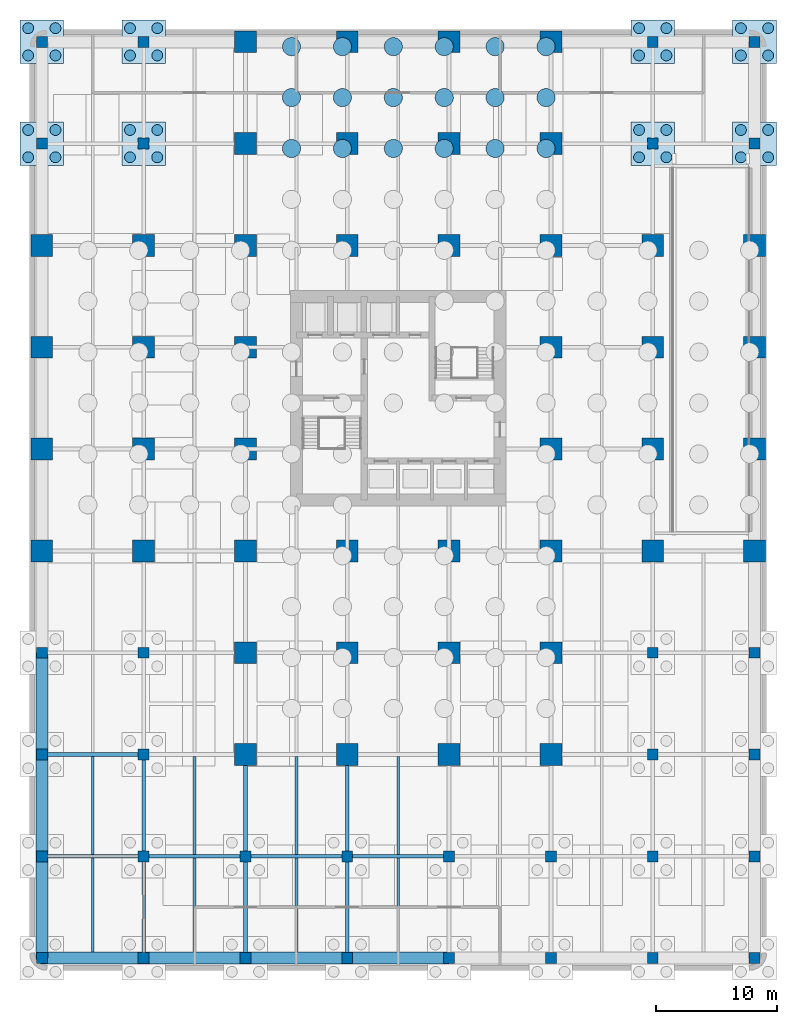
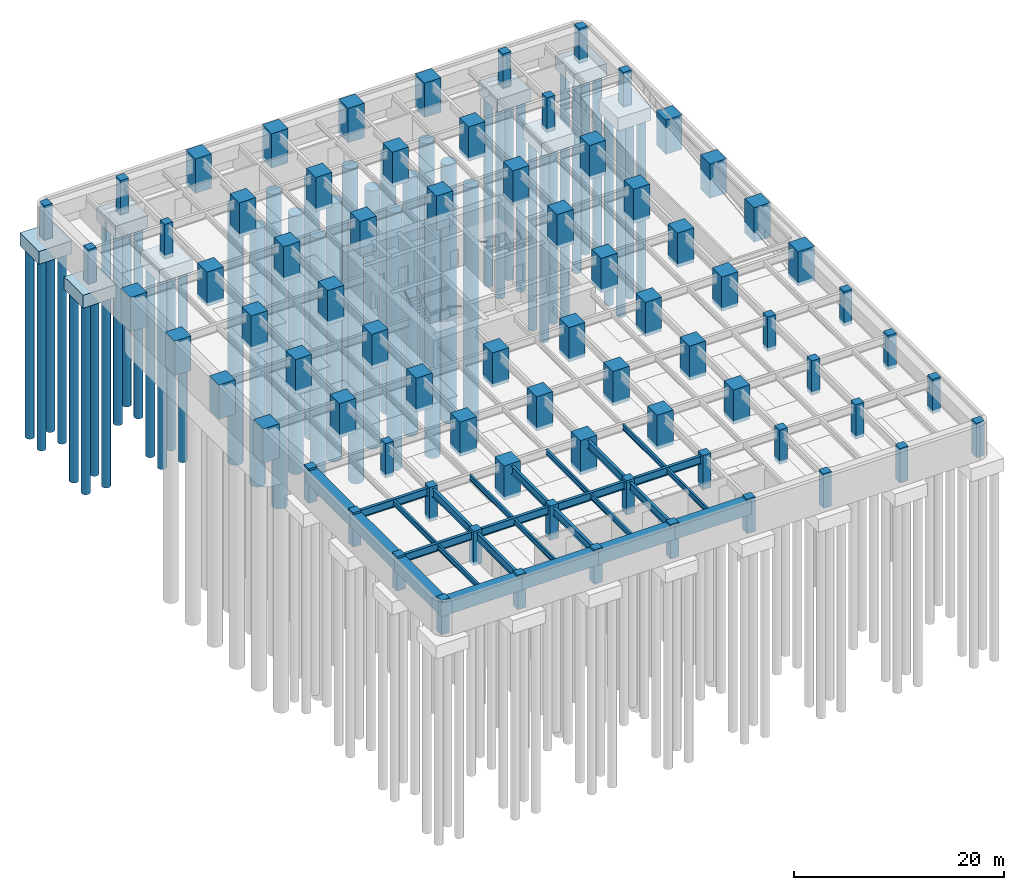
# One storey, part 2 of 11: 76 columns, 50 piles, 26 beams, 8 footings.
"""IFC4 building model written with IfcOpenShell, lengths in metres."""

from ifc_helpers import new_model, si_unit, direction, frame, origin, origin_2d, place, context, subcontext, project, spatial, rectangle, circle, i_section, extrude, material, layer, layer_set, material_profile, profile_set, type_object, element, save


model = new_model("IFC4")

# Units and contexts
model_context = context("Model", 3, precision=1e-05, world=origin(), true_north=direction((0.0, 1.0)))
body_context = subcontext(model_context, "Body", "Model", "MODEL_VIEW")
ifc_project = project(units=[si_unit("LENGTHUNIT", "METRE"), si_unit("AREAUNIT", "SQUARE_METRE"), si_unit("VOLUMEUNIT", "CUBIC_METRE"), si_unit("PLANEANGLEUNIT", "RADIAN"), si_unit("MASSUNIT", "GRAM", prefix="KILO")], contexts=[model_context])

# Site, building, storey
site_placement = place(None, origin())
site = spatial("IfcSite", under=ifc_project, at=site_placement, CompositionType="ELEMENT")
building_placement = place(site_placement, origin())
building = spatial("IfcBuilding", under=site, at=building_placement, Name="Torre Alcanfor", CompositionType="ELEMENT")
storey_placement = place(building_placement, frame((0.0, 0.0, -7.199951171875)))
storey = spatial("IfcBuildingStorey", under=building, at=storey_placement, Name="B2", CompositionType="ELEMENT", Elevation=-7.199951171875)

# Piles
ifc_material_1 = material(Name="Concrete f'c 35 MPa", Category="concrete")
ifc_material_profile_1 = material_profile(ifc_material_1, circle(Radius=0.75, at=origin_2d()), Name="D1500")
ifc_profile_set_1 = profile_set([ifc_material_profile_1], Name="Concrete f'c 35 MPa")
pile_type_1 = type_object("IfcPileType", Name="Bored pile D1500", PredefinedType="BORED", material=ifc_profile_set_1)
for number, where, z_axis, x_axis, name in (
    (1, (20.60009765625, 50.0, -3.400146484375), (0.0, 0.0, -1.0), (1.0, 0.0, 0.0), "Raft pile P1-106"),
    (2, (24.800048828125, 50.0, -3.400146484375), (0.0, 0.0, -1.0), (1.0, 0.0, 0.0), "Raft pile P1-107"),
    (3, (29.0, 50.0, -3.400146484375), (0.0, 0.0, -1.0), (1.0, 0.0, 0.0), "Raft pile P1-108"),
    (4, (33.199951171875, 50.0, -3.400146484375), (0.0, 0.0, -1.0), (1.0, 0.0, 0.0), "Raft pile P1-109"),
    (5, (37.39990234375, 50.0, -3.400146484375), (0.0, 0.0, -1.0), (1.0, 0.0, 0.0), "Raft pile P1-110"),
    (6, (41.60009765625, 50.0, -3.400146484375), (0.0, 0.0, -1.0), (1.0, 0.0, 0.0), "Raft pile P1-111"),
    (7, (20.60009765625, 54.199951171875, -3.400146484375), (0.0, 0.0, -1.0), (1.0, 0.0, 0.0), "Raft pile P1-112"),
    (8, (24.800048828125, 54.199951171875, -3.400146484375), (0.0, 0.0, -1.0), (1.0, 0.0, 0.0), "Raft pile P1-113"),
    (9, (29.0, 54.199951171875, -3.400146484375), (0.0, 0.0, -1.0), (1.0, 0.0, 0.0), "Raft pile P1-114"),
    (10, (33.199951171875, 54.199951171875, -3.400146484375), (0.0, 0.0, -1.0), (1.0, 0.0, 0.0), "Raft pile P1-115"),
    (11, (37.39990234375, 54.199951171875, -3.400146484375), (0.0, 0.0, -1.0), (1.0, 0.0, 0.0), "Raft pile P1-116"),
    (12, (41.60009765625, 54.199951171875, -3.400146484375), (0.0, 0.0, -1.0), (1.0, 0.0, 0.0), "Raft pile P1-117"),
    (13, (20.60009765625, 58.39990234375, -3.400146484375), (0.0, 0.0, -1.0), (1.0, 0.0, 0.0), "Raft pile P1-118"),
    (14, (24.800048828125, 58.39990234375, -3.400146484375), (0.0, 0.0, -1.0), (1.0, 0.0, 0.0), "Raft pile P1-119"),
    (15, (29.0, 58.39990234375, -3.400146484375), (0.0, 0.0, -1.0), (1.0, 0.0, 0.0), "Raft pile P1-120"),
    (16, (33.199951171875, 58.39990234375, -3.400146484375), (0.0, 0.0, -1.0), (1.0, 0.0, 0.0), "Raft pile P1-121"),
    (17, (37.39990234375, 58.39990234375, -3.400146484375), (0.0, 0.0, -1.0), (1.0, 0.0, 0.0), "Raft pile P1-122"),
    (18, (41.60009765625, 58.39990234375, -3.400146484375), (0.0, 0.0, -1.0), (1.0, 0.0, 0.0), "Raft pile P1-123"),
):
    element("IfcPile", number, at=place(storey_placement, frame(where, z_axis=z_axis, x_axis=x_axis)), inside=storey, type_object=pile_type_1, Name=name, PredefinedType="BORED", context=body_context, shape_type="SweptSolid", body=[
        extrude(circle(Radius=0.75, at=origin_2d()), origin(), (0.0, 0.0, 1.0), 30.0),
    ])
ifc_material_2 = material(Name="Concrete f'c 35 MPa", Category="concrete")
ifc_material_profile_2 = material_profile(ifc_material_2, circle(Radius=0.449951171875, at=origin_2d()), Name="D900")
ifc_profile_set_2 = profile_set([ifc_material_profile_2], Name="Concrete f'c 35 MPa")
pile_type_2 = type_object("IfcPileType", Name="Bored pile D900", PredefinedType="BORED", material=ifc_profile_set_2)
for number, where, z_axis, x_axis, name in (
    (19, (-1.125, 49.27490234375, -1.900146484375), (0.0, 0.0, -1.0), (1.0, 0.0, 0.0), "Pile P2 under cap 1/J"),
    (20, (1.125, 49.27490234375, -1.900146484375), (0.0, 0.0, -1.0), (1.0, 0.0, 0.0), "Pile P2 under cap 1/J"),
    (21, (1.125, 51.52490234375, -1.900146484375), (0.0, 0.0, -1.0), (1.0, 0.0, 0.0), "Pile P2 under cap 1/J"),
    (22, (-1.125, 51.52490234375, -1.900146484375), (0.0, 0.0, -1.0), (1.0, 0.0, 0.0), "Pile P2 under cap 1/J"),
    (23, (-1.125, 57.675048828125, -1.900146484375), (0.0, 0.0, -1.0), (1.0, 0.0, 0.0), "Pile P2 under cap 1/K"),
    (24, (1.125, 57.675048828125, -1.900146484375), (0.0, 0.0, -1.0), (1.0, 0.0, 0.0), "Pile P2 under cap 1/K"),
    (25, (1.125, 59.925048828125, -1.900146484375), (0.0, 0.0, -1.0), (1.0, 0.0, 0.0), "Pile P2 under cap 1/K"),
    (26, (-1.125, 59.925048828125, -1.900146484375), (0.0, 0.0, -1.0), (1.0, 0.0, 0.0), "Pile P2 under cap 1/K"),
    (27, (7.27490234375, 49.27490234375, -1.900146484375), (0.0, 0.0, -1.0), (1.0, 0.0, 0.0), "Pile P2 under cap 2/J"),
    (28, (9.52490234375, 49.27490234375, -1.900146484375), (0.0, 0.0, -1.0), (1.0, 0.0, 0.0), "Pile P2 under cap 2/J"),
    (29, (9.52490234375, 51.52490234375, -1.900146484375), (0.0, 0.0, -1.0), (1.0, 0.0, 0.0), "Pile P2 under cap 2/J"),
    (30, (7.27490234375, 51.52490234375, -1.900146484375), (0.0, 0.0, -1.0), (1.0, 0.0, 0.0), "Pile P2 under cap 2/J"),
    (31, (7.27490234375, 57.675048828125, -1.900146484375), (0.0, 0.0, -1.0), (1.0, 0.0, 0.0), "Pile P2 under cap 2/K"),
    (32, (9.52490234375, 57.675048828125, -1.900146484375), (0.0, 0.0, -1.0), (1.0, 0.0, 0.0), "Pile P2 under cap 2/K"),
    (33, (9.52490234375, 59.925048828125, -1.900146484375), (0.0, 0.0, -1.0), (1.0, 0.0, 0.0), "Pile P2 under cap 2/K"),
    (34, (7.27490234375, 59.925048828125, -1.900146484375), (0.0, 0.0, -1.0), (1.0, 0.0, 0.0), "Pile P2 under cap 2/K"),
    (35, (49.27490234375, 49.27490234375, -1.900146484375), (0.0, 0.0, -1.0), (1.0, 0.0, 0.0), "Pile P2 under cap 7/J"),
    (36, (51.52490234375, 49.27490234375, -1.900146484375), (0.0, 0.0, -1.0), (1.0, 0.0, 0.0), "Pile P2 under cap 7/J"),
    (37, (51.52490234375, 51.52490234375, -1.900146484375), (0.0, 0.0, -1.0), (1.0, 0.0, 0.0), "Pile P2 under cap 7/J"),
    (38, (49.27490234375, 51.52490234375, -1.900146484375), (0.0, 0.0, -1.0), (1.0, 0.0, 0.0), "Pile P2 under cap 7/J"),
    (39, (49.27490234375, 57.675048828125, -1.900146484375), (0.0, 0.0, -1.0), (1.0, 0.0, 0.0), "Pile P2 under cap 7/K"),
    (40, (51.52490234375, 57.675048828125, -1.900146484375), (0.0, 0.0, -1.0), (1.0, 0.0, 0.0), "Pile P2 under cap 7/K"),
    (41, (51.52490234375, 59.925048828125, -1.900146484375), (0.0, 0.0, -1.0), (1.0, 0.0, 0.0), "Pile P2 under cap 7/K"),
    (42, (49.27490234375, 59.925048828125, -1.900146484375), (0.0, 0.0, -1.0), (1.0, 0.0, 0.0), "Pile P2 under cap 7/K"),
    (43, (57.675048828125, 49.27490234375, -1.900146484375), (0.0, 0.0, -1.0), (1.0, 0.0, 0.0), "Pile P2 under cap 8/J"),
    (44, (59.925048828125, 49.27490234375, -1.900146484375), (0.0, 0.0, -1.0), (1.0, 0.0, 0.0), "Pile P2 under cap 8/J"),
    (45, (59.925048828125, 51.52490234375, -1.900146484375), (0.0, 0.0, -1.0), (1.0, 0.0, 0.0), "Pile P2 under cap 8/J"),
    (46, (57.675048828125, 51.52490234375, -1.900146484375), (0.0, 0.0, -1.0), (1.0, 0.0, 0.0), "Pile P2 under cap 8/J"),
    (47, (57.675048828125, 57.675048828125, -1.900146484375), (0.0, 0.0, -1.0), (1.0, 0.0, 0.0), "Pile P2 under cap 8/K"),
    (48, (59.925048828125, 57.675048828125, -1.900146484375), (0.0, 0.0, -1.0), (1.0, 0.0, 0.0), "Pile P2 under cap 8/K"),
    (49, (59.925048828125, 59.925048828125, -1.900146484375), (0.0, 0.0, -1.0), (1.0, 0.0, 0.0), "Pile P2 under cap 8/K"),
    (50, (57.675048828125, 59.925048828125, -1.900146484375), (0.0, 0.0, -1.0), (1.0, 0.0, 0.0), "Pile P2 under cap 8/K"),
):
    element("IfcPile", number, at=place(storey_placement, frame(where, z_axis=z_axis, x_axis=x_axis)), inside=storey, type_object=pile_type_2, Name=name, PredefinedType="BORED", context=body_context, shape_type="SweptSolid", body=[
        extrude(circle(Radius=0.449951171875, at=origin_2d()), origin(), (0.0, 0.0, 1.0), 22.0),
    ])

# Footings
ifc_material_3 = material(Name="Concrete f'c 40 MPa", Category="concrete")
ifc_layer = layer(ifc_material_3, 1.5)
ifc_layer_set = layer_set([ifc_layer], Name="Pile cap 3600x3600x1500")
footing_type = type_object("IfcFootingType", Name="Pile cap 3600x3600x1500", PredefinedType="PILE_CAP", material=ifc_layer_set)
for number, where, z_axis, x_axis, name in (
    (51, (0.0, 50.39990234375, -1.900146484375), (0.0, 0.0, 1.0), (1.0, 0.0, 0.0), "Pile cap PC1 at 1/J"),
    (52, (0.0, 58.800048828125, -1.900146484375), (0.0, 0.0, 1.0), (1.0, 0.0, 0.0), "Pile cap PC1 at 1/K"),
    (53, (8.39990234375, 50.39990234375, -1.900146484375), (0.0, 0.0, 1.0), (1.0, 0.0, 0.0), "Pile cap PC1 at 2/J"),
    (54, (8.39990234375, 58.800048828125, -1.900146484375), (0.0, 0.0, 1.0), (1.0, 0.0, 0.0), "Pile cap PC1 at 2/K"),
    (55, (50.39990234375, 50.39990234375, -1.900146484375), (0.0, 0.0, 1.0), (1.0, 0.0, 0.0), "Pile cap PC1 at 7/J"),
    (56, (50.39990234375, 58.800048828125, -1.900146484375), (0.0, 0.0, 1.0), (1.0, 0.0, 0.0), "Pile cap PC1 at 7/K"),
    (57, (58.800048828125, 50.39990234375, -1.900146484375), (0.0, 0.0, 1.0), (1.0, 0.0, 0.0), "Pile cap PC1 at 8/J"),
    (58, (58.800048828125, 58.800048828125, -1.900146484375), (0.0, 0.0, 1.0), (1.0, 0.0, 0.0), "Pile cap PC1 at 8/K"),
):
    element("IfcFooting", number, at=place(storey_placement, frame(where, z_axis=z_axis, x_axis=x_axis)), inside=storey, type_object=footing_type, Name=name, PredefinedType="PILE_CAP", context=body_context, shape_type="SweptSolid", body=[
        extrude(rectangle(XDim=3.60009765625, YDim=3.60009765625, at=origin_2d()), origin(), (0.0, 0.0, 1.0), 1.5),
    ])

# Columns
ifc_material_4 = material(Name="Concrete f'c 70 MPa", Category="concrete")
ifc_material_profile_3 = material_profile(ifc_material_4, rectangle(XDim=1.800048828125, YDim=1.800048828125, at=origin_2d()), Name="1800x1800")
ifc_profile_set_3 = profile_set([ifc_material_profile_3], Name="Concrete f'c 70 MPa")
column_type_1 = type_object("IfcColumnType", Name="RC column 1800x1800 f'c70", PredefinedType="COLUMN", material=ifc_profile_set_3)
for number, where, z_axis, x_axis, name in (
    (59, (0.0, 16.800048828125, -0.400146484375), (0.0, 0.0, 1.0), (1.0, 0.0, 0.0), "Column 1/E B2"),
    (60, (0.0, 25.199951171875, -0.400146484375), (0.0, 0.0, 1.0), (1.0, 0.0, 0.0), "Column 1/F B2"),
    (61, (0.0, 33.60009765625, -0.400146484375), (0.0, 0.0, 1.0), (1.0, 0.0, 0.0), "Column 1/G B2"),
    (62, (0.0, 42.0, -0.400146484375), (0.0, 0.0, 1.0), (1.0, 0.0, 0.0), "Column 1/H B2"),
    (63, (8.39990234375, 16.800048828125, -0.400146484375), (0.0, 0.0, 1.0), (1.0, 0.0, 0.0), "Column 2/E B2"),
    (64, (8.39990234375, 25.199951171875, -0.400146484375), (0.0, 0.0, 1.0), (1.0, 0.0, 0.0), "Column 2/F B2"),
    (65, (8.39990234375, 33.60009765625, -0.400146484375), (0.0, 0.0, 1.0), (1.0, 0.0, 0.0), "Column 2/G B2"),
    (66, (8.39990234375, 42.0, -0.400146484375), (0.0, 0.0, 1.0), (1.0, 0.0, 0.0), "Column 2/H B2"),
    (67, (16.800048828125, 0.0, -0.400146484375), (0.0, 0.0, 1.0), (1.0, 0.0, 0.0), "Column 3/C B2"),
    (68, (16.800048828125, 8.39990234375, -0.400146484375), (0.0, 0.0, 1.0), (1.0, 0.0, 0.0), "Column 3/D B2"),
    (69, (16.800048828125, 16.800048828125, -0.400146484375), (0.0, 0.0, 1.0), (1.0, 0.0, 0.0), "Column 3/E B2"),
    (70, (16.800048828125, 25.199951171875, -0.400146484375), (0.0, 0.0, 1.0), (1.0, 0.0, 0.0), "Column 3/F B2"),
    (71, (16.800048828125, 33.60009765625, -0.400146484375), (0.0, 0.0, 1.0), (1.0, 0.0, 0.0), "Column 3/G B2"),
    (72, (16.800048828125, 42.0, -0.400146484375), (0.0, 0.0, 1.0), (1.0, 0.0, 0.0), "Column 3/H B2"),
    (73, (16.800048828125, 50.39990234375, -0.400146484375), (0.0, 0.0, 1.0), (1.0, 0.0, 0.0), "Column 3/J B2"),
    (74, (16.800048828125, 58.800048828125, -0.400146484375), (0.0, 0.0, 1.0), (1.0, 0.0, 0.0), "Column 3/K B2"),
    (75, (25.199951171875, 0.0, -0.400146484375), (0.0, 0.0, 1.0), (1.0, 0.0, 0.0), "Column 4/C B2"),
    (76, (25.199951171875, 8.39990234375, -0.400146484375), (0.0, 0.0, 1.0), (1.0, 0.0, 0.0), "Column 4/D B2"),
    (77, (25.199951171875, 16.800048828125, -0.400146484375), (0.0, 0.0, 1.0), (1.0, 0.0, 0.0), "Column 4/E B2"),
    (78, (25.199951171875, 42.0, -0.400146484375), (0.0, 0.0, 1.0), (1.0, 0.0, 0.0), "Column 4/H B2"),
    (79, (25.199951171875, 50.39990234375, -0.400146484375), (0.0, 0.0, 1.0), (1.0, 0.0, 0.0), "Column 4/J B2"),
    (80, (25.199951171875, 58.800048828125, -0.400146484375), (0.0, 0.0, 1.0), (1.0, 0.0, 0.0), "Column 4/K B2"),
    (81, (33.60009765625, 0.0, -0.400146484375), (0.0, 0.0, 1.0), (1.0, 0.0, 0.0), "Column 5/C B2"),
    (82, (33.60009765625, 8.39990234375, -0.400146484375), (0.0, 0.0, 1.0), (1.0, 0.0, 0.0), "Column 5/D B2"),
    (83, (33.60009765625, 16.800048828125, -0.400146484375), (0.0, 0.0, 1.0), (1.0, 0.0, 0.0), "Column 5/E B2"),
    (84, (33.60009765625, 42.0, -0.400146484375), (0.0, 0.0, 1.0), (1.0, 0.0, 0.0), "Column 5/H B2"),
    (85, (33.60009765625, 50.39990234375, -0.400146484375), (0.0, 0.0, 1.0), (1.0, 0.0, 0.0), "Column 5/J B2"),
    (86, (33.60009765625, 58.800048828125, -0.400146484375), (0.0, 0.0, 1.0), (1.0, 0.0, 0.0), "Column 5/K B2"),
    (87, (42.0, 0.0, -0.400146484375), (0.0, 0.0, 1.0), (1.0, 0.0, 0.0), "Column 6/C B2"),
    (88, (42.0, 8.39990234375, -0.400146484375), (0.0, 0.0, 1.0), (1.0, 0.0, 0.0), "Column 6/D B2"),
    (89, (42.0, 16.800048828125, -0.400146484375), (0.0, 0.0, 1.0), (1.0, 0.0, 0.0), "Column 6/E B2"),
    (90, (42.0, 25.199951171875, -0.400146484375), (0.0, 0.0, 1.0), (1.0, 0.0, 0.0), "Column 6/F B2"),
    (91, (42.0, 33.60009765625, -0.400146484375), (0.0, 0.0, 1.0), (1.0, 0.0, 0.0), "Column 6/G B2"),
    (92, (42.0, 42.0, -0.400146484375), (0.0, 0.0, 1.0), (1.0, 0.0, 0.0), "Column 6/H B2"),
    (93, (42.0, 50.39990234375, -0.400146484375), (0.0, 0.0, 1.0), (1.0, 0.0, 0.0), "Column 6/J B2"),
    (94, (42.0, 58.800048828125, -0.400146484375), (0.0, 0.0, 1.0), (1.0, 0.0, 0.0), "Column 6/K B2"),
    (95, (50.39990234375, 16.800048828125, -0.400146484375), (0.0, 0.0, 1.0), (1.0, 0.0, 0.0), "Column 7/E B2"),
    (96, (50.39990234375, 25.199951171875, -0.400146484375), (0.0, 0.0, 1.0), (1.0, 0.0, 0.0), "Column 7/F B2"),
    (97, (50.39990234375, 33.60009765625, -0.400146484375), (0.0, 0.0, 1.0), (1.0, 0.0, 0.0), "Column 7/G B2"),
    (98, (50.39990234375, 42.0, -0.400146484375), (0.0, 0.0, 1.0), (1.0, 0.0, 0.0), "Column 7/H B2"),
    (99, (58.800048828125, 16.800048828125, -0.400146484375), (0.0, 0.0, 1.0), (1.0, 0.0, 0.0), "Column 8/E B2"),
    (100, (58.800048828125, 25.199951171875, -0.400146484375), (0.0, 0.0, 1.0), (1.0, 0.0, 0.0), "Column 8/F B2"),
    (101, (58.800048828125, 33.60009765625, -0.400146484375), (0.0, 0.0, 1.0), (1.0, 0.0, 0.0), "Column 8/G B2"),
    (102, (58.800048828125, 42.0, -0.400146484375), (0.0, 0.0, 1.0), (1.0, 0.0, 0.0), "Column 8/H B2"),
):
    element("IfcColumn", number, at=place(storey_placement, frame(where, z_axis=z_axis, x_axis=x_axis)), inside=storey, type_object=column_type_1, Name=name, PredefinedType="COLUMN", context=body_context, shape_type="SweptSolid", body=[
        extrude(rectangle(XDim=1.800048828125, YDim=1.800048828125, at=origin_2d()), origin(), (0.0, 0.0, 1.0), 4.0),
    ])
ifc_material_5 = material(Name="Concrete f'c 70 MPa", Category="concrete")
ifc_material_profile_4 = material_profile(ifc_material_5, rectangle(XDim=0.89990234375, YDim=0.89990234375, at=origin_2d()), Name="900x900")
ifc_profile_set_4 = profile_set([ifc_material_profile_4], Name="Concrete f'c 70 MPa")
column_type_2 = type_object("IfcColumnType", Name="RC column 900x900 f'c70", PredefinedType="COLUMN", material=ifc_profile_set_4)
for number, where, z_axis, x_axis, name in (
    (103, (0.0, -16.800048828125, -0.400146484375), (0.0, 0.0, 1.0), (1.0, 0.0, 0.0), "Column 1/A B2"),
    (104, (0.0, -8.39990234375, -0.400146484375), (0.0, 0.0, 1.0), (1.0, 0.0, 0.0), "Column 1/B B2"),
    (105, (0.0, 0.0, -0.400146484375), (0.0, 0.0, 1.0), (1.0, 0.0, 0.0), "Column 1/C B2"),
    (106, (0.0, 8.39990234375, -0.400146484375), (0.0, 0.0, 1.0), (1.0, 0.0, 0.0), "Column 1/D B2"),
    (107, (0.0, 50.39990234375, -0.400146484375), (0.0, 0.0, 1.0), (1.0, 0.0, 0.0), "Column 1/J B2"),
    (108, (0.0, 58.800048828125, -0.400146484375), (0.0, 0.0, 1.0), (1.0, 0.0, 0.0), "Column 1/K B2"),
    (109, (8.39990234375, -16.800048828125, -0.400146484375), (0.0, 0.0, 1.0), (1.0, 0.0, 0.0), "Column 2/A B2"),
    (110, (8.39990234375, -8.39990234375, -0.400146484375), (0.0, 0.0, 1.0), (1.0, 0.0, 0.0), "Column 2/B B2"),
    (111, (8.39990234375, 0.0, -0.400146484375), (0.0, 0.0, 1.0), (1.0, 0.0, 0.0), "Column 2/C B2"),
    (112, (8.39990234375, 8.39990234375, -0.400146484375), (0.0, 0.0, 1.0), (1.0, 0.0, 0.0), "Column 2/D B2"),
    (113, (8.39990234375, 50.39990234375, -0.400146484375), (0.0, 0.0, 1.0), (1.0, 0.0, 0.0), "Column 2/J B2"),
    (114, (8.39990234375, 58.800048828125, -0.400146484375), (0.0, 0.0, 1.0), (1.0, 0.0, 0.0), "Column 2/K B2"),
    (115, (16.800048828125, -16.800048828125, -0.400146484375), (0.0, 0.0, 1.0), (1.0, 0.0, 0.0), "Column 3/A B2"),
    (116, (16.800048828125, -8.39990234375, -0.400146484375), (0.0, 0.0, 1.0), (1.0, 0.0, 0.0), "Column 3/B B2"),
    (117, (25.199951171875, -16.800048828125, -0.400146484375), (0.0, 0.0, 1.0), (1.0, 0.0, 0.0), "Column 4/A B2"),
    (118, (25.199951171875, -8.39990234375, -0.400146484375), (0.0, 0.0, 1.0), (1.0, 0.0, 0.0), "Column 4/B B2"),
    (119, (33.60009765625, -16.800048828125, -0.400146484375), (0.0, 0.0, 1.0), (1.0, 0.0, 0.0), "Column 5/A B2"),
    (120, (33.60009765625, -8.39990234375, -0.400146484375), (0.0, 0.0, 1.0), (1.0, 0.0, 0.0), "Column 5/B B2"),
    (121, (42.0, -16.800048828125, -0.400146484375), (0.0, 0.0, 1.0), (1.0, 0.0, 0.0), "Column 6/A B2"),
    (122, (42.0, -8.39990234375, -0.400146484375), (0.0, 0.0, 1.0), (1.0, 0.0, 0.0), "Column 6/B B2"),
    (123, (50.39990234375, -16.800048828125, -0.400146484375), (0.0, 0.0, 1.0), (1.0, 0.0, 0.0), "Column 7/A B2"),
    (124, (50.39990234375, -8.39990234375, -0.400146484375), (0.0, 0.0, 1.0), (1.0, 0.0, 0.0), "Column 7/B B2"),
    (125, (50.39990234375, 0.0, -0.400146484375), (0.0, 0.0, 1.0), (1.0, 0.0, 0.0), "Column 7/C B2"),
    (126, (50.39990234375, 8.39990234375, -0.400146484375), (0.0, 0.0, 1.0), (1.0, 0.0, 0.0), "Column 7/D B2"),
    (127, (50.39990234375, 50.39990234375, -0.400146484375), (0.0, 0.0, 1.0), (1.0, 0.0, 0.0), "Column 7/J B2"),
    (128, (50.39990234375, 58.800048828125, -0.400146484375), (0.0, 0.0, 1.0), (1.0, 0.0, 0.0), "Column 7/K B2"),
    (129, (58.800048828125, -16.800048828125, -0.400146484375), (0.0, 0.0, 1.0), (1.0, 0.0, 0.0), "Column 8/A B2"),
    (130, (58.800048828125, -8.39990234375, -0.400146484375), (0.0, 0.0, 1.0), (1.0, 0.0, 0.0), "Column 8/B B2"),
    (131, (58.800048828125, 0.0, -0.400146484375), (0.0, 0.0, 1.0), (1.0, 0.0, 0.0), "Column 8/C B2"),
    (132, (58.800048828125, 8.39990234375, -0.400146484375), (0.0, 0.0, 1.0), (1.0, 0.0, 0.0), "Column 8/D B2"),
    (133, (58.800048828125, 50.39990234375, -0.400146484375), (0.0, 0.0, 1.0), (1.0, 0.0, 0.0), "Column 8/J B2"),
    (134, (58.800048828125, 58.800048828125, -0.400146484375), (0.0, 0.0, 1.0), (1.0, 0.0, 0.0), "Column 8/K B2"),
):
    element("IfcColumn", number, at=place(storey_placement, frame(where, z_axis=z_axis, x_axis=x_axis)), inside=storey, type_object=column_type_2, Name=name, PredefinedType="COLUMN", context=body_context, shape_type="SweptSolid", body=[
        extrude(rectangle(XDim=0.89990234375, YDim=0.89990234375, at=origin_2d()), origin(), (0.0, 0.0, 1.0), 4.0),
    ])

# Beams
ifc_material_6 = material(Name="Steel ASTM A992 Grade 50", Category="steel")
ifc_material_profile_5 = material_profile(ifc_material_6, i_section(OverallWidth=0.3046875, OverallDepth=0.911865234375, WebThickness=0.015869140625, FlangeThickness=0.02392578125, at=origin_2d()), Name="W36x150")
ifc_profile_set_5 = profile_set([ifc_material_profile_5], Name="Steel ASTM A992 Grade 50")
beam_type_1 = type_object("IfcBeamType", Name="Girder W36x150", PredefinedType="BEAM", material=ifc_profile_set_5)
beam_1_placement = place(storey_placement, frame((0.0, -8.39990234375, 2.89404296875), z_axis=(1.0, 0.0, 0.0), x_axis=(0.0, 1.0, 0.0)))
element("IfcBeam", 135, at=beam_1_placement, inside=storey, type_object=beam_type_1, Name="Beam 1B-2B under B1", PredefinedType="BEAM", context=body_context, shape_type="SweptSolid", body=[
    extrude(i_section(OverallWidth=0.3046875, OverallDepth=0.911865234375, WebThickness=0.015869140625, FlangeThickness=0.02392578125, at=origin_2d()), origin(), (0.0, 0.0, 1.0), 8.39990234375),
])
beam_2_placement = place(storey_placement, frame((8.39990234375, -8.39990234375, 2.89404296875), z_axis=(1.0, 0.0, 0.0), x_axis=(0.0, 1.0, 0.0)))
element("IfcBeam", 136, at=beam_2_placement, inside=storey, type_object=beam_type_1, Name="Beam 2B-3B under B1", PredefinedType="BEAM", context=body_context, shape_type="SweptSolid", body=[
    extrude(i_section(OverallWidth=0.3046875, OverallDepth=0.911865234375, WebThickness=0.015869140625, FlangeThickness=0.02392578125, at=origin_2d()), origin(), (0.0, 0.0, 1.0), 8.400146484375),
])
beam_3_placement = place(storey_placement, frame((16.800048828125, -8.39990234375, 2.89404296875), z_axis=(1.0, 0.0, 0.0), x_axis=(0.0, 1.0, 0.0)))
element("IfcBeam", 137, at=beam_3_placement, inside=storey, type_object=beam_type_1, Name="Beam 3B-4B under B1", PredefinedType="BEAM", context=body_context, shape_type="SweptSolid", body=[
    extrude(i_section(OverallWidth=0.3046875, OverallDepth=0.911865234375, WebThickness=0.015869140625, FlangeThickness=0.02392578125, at=origin_2d()), origin(), (0.0, 0.0, 1.0), 8.39990234375),
])
beam_4_placement = place(storey_placement, frame((25.199951171875, -8.39990234375, 2.89404296875), z_axis=(1.0, 0.0, 0.0), x_axis=(0.0, 1.0, 0.0)))
element("IfcBeam", 138, at=beam_4_placement, inside=storey, type_object=beam_type_1, Name="Beam 4B-5B under B1", PredefinedType="BEAM", context=body_context, shape_type="SweptSolid", body=[
    extrude(i_section(OverallWidth=0.3046875, OverallDepth=0.911865234375, WebThickness=0.015869140625, FlangeThickness=0.02392578125, at=origin_2d()), origin(), (0.0, 0.0, 1.0), 8.400146484375),
])
beam_5_placement = place(storey_placement, frame((0.0, 0.0, 2.89404296875), z_axis=(1.0, 0.0, 0.0), x_axis=(0.0, 1.0, 0.0)))
element("IfcBeam", 139, at=beam_5_placement, inside=storey, type_object=beam_type_1, Name="Beam 1C-2C under B1", PredefinedType="BEAM", context=body_context, shape_type="SweptSolid", body=[
    extrude(i_section(OverallWidth=0.3046875, OverallDepth=0.911865234375, WebThickness=0.015869140625, FlangeThickness=0.02392578125, at=origin_2d()), origin(), (0.0, 0.0, 1.0), 8.39990234375),
])
beam_6_placement = place(storey_placement, frame((8.39990234375, -16.800048828125, 2.89404296875), z_axis=(0.0, 1.0, 0.0), x_axis=(-1.0, 0.0, 0.0)))
element("IfcBeam", 140, at=beam_6_placement, inside=storey, type_object=beam_type_1, Name="Beam 2A-2B under B1", PredefinedType="BEAM", context=body_context, shape_type="SweptSolid", body=[
    extrude(i_section(OverallWidth=0.3046875, OverallDepth=0.911865234375, WebThickness=0.015869140625, FlangeThickness=0.02392578125, at=origin_2d()), origin(), (0.0, 0.0, 1.0), 8.400146484375),
])
beam_7_placement = place(storey_placement, frame((8.39990234375, -8.39990234375, 2.89404296875), z_axis=(0.0, 1.0, 0.0), x_axis=(-1.0, 0.0, 0.0)))
element("IfcBeam", 141, at=beam_7_placement, inside=storey, type_object=beam_type_1, Name="Beam 2B-2C under B1", PredefinedType="BEAM", context=body_context, shape_type="SweptSolid", body=[
    extrude(i_section(OverallWidth=0.3046875, OverallDepth=0.911865234375, WebThickness=0.015869140625, FlangeThickness=0.02392578125, at=origin_2d()), origin(), (0.0, 0.0, 1.0), 8.39990234375),
])
beam_8_placement = place(storey_placement, frame((16.800048828125, -16.800048828125, 2.89404296875), z_axis=(0.0, 1.0, 0.0), x_axis=(-1.0, 0.0, 0.0)))
element("IfcBeam", 142, at=beam_8_placement, inside=storey, type_object=beam_type_1, Name="Beam 3A-3B under B1", PredefinedType="BEAM", context=body_context, shape_type="SweptSolid", body=[
    extrude(i_section(OverallWidth=0.3046875, OverallDepth=0.911865234375, WebThickness=0.015869140625, FlangeThickness=0.02392578125, at=origin_2d()), origin(), (0.0, 0.0, 1.0), 8.400146484375),
])
beam_9_placement = place(storey_placement, frame((16.800048828125, -8.39990234375, 2.89404296875), z_axis=(0.0, 1.0, 0.0), x_axis=(-1.0, 0.0, 0.0)))
element("IfcBeam", 143, at=beam_9_placement, inside=storey, type_object=beam_type_1, Name="Beam 3B-3C under B1", PredefinedType="BEAM", context=body_context, shape_type="SweptSolid", body=[
    extrude(i_section(OverallWidth=0.3046875, OverallDepth=0.911865234375, WebThickness=0.015869140625, FlangeThickness=0.02392578125, at=origin_2d()), origin(), (0.0, 0.0, 1.0), 8.39990234375),
])
beam_10_placement = place(storey_placement, frame((25.199951171875, -16.800048828125, 2.89404296875), z_axis=(0.0, 1.0, 0.0), x_axis=(-1.0, 0.0, 0.0)))
element("IfcBeam", 144, at=beam_10_placement, inside=storey, type_object=beam_type_1, Name="Beam 4A-4B under B1", PredefinedType="BEAM", context=body_context, shape_type="SweptSolid", body=[
    extrude(i_section(OverallWidth=0.3046875, OverallDepth=0.911865234375, WebThickness=0.015869140625, FlangeThickness=0.02392578125, at=origin_2d()), origin(), (0.0, 0.0, 1.0), 8.400146484375),
])
beam_11_placement = place(storey_placement, frame((25.199951171875, -8.39990234375, 2.89404296875), z_axis=(0.0, 1.0, 0.0), x_axis=(-1.0, 0.0, 0.0)))
element("IfcBeam", 145, at=beam_11_placement, inside=storey, type_object=beam_type_1, Name="Beam 4B-4C under B1", PredefinedType="BEAM", context=body_context, shape_type="SweptSolid", body=[
    extrude(i_section(OverallWidth=0.3046875, OverallDepth=0.911865234375, WebThickness=0.015869140625, FlangeThickness=0.02392578125, at=origin_2d()), origin(), (0.0, 0.0, 1.0), 8.39990234375),
])
ifc_material_7 = material(Name="Concrete f'c 70 MPa", Category="concrete")
ifc_material_profile_6 = material_profile(ifc_material_7, rectangle(XDim=1.0, YDim=1.60009765625, at=origin_2d()), Name="1000x1600")
ifc_profile_set_6 = profile_set([ifc_material_profile_6], Name="Concrete f'c 70 MPa")
beam_type_2 = type_object("IfcBeamType", Name="RC perimeter beam 1000x1600", PredefinedType="BEAM", material=ifc_profile_set_6)
beam_12_placement = place(storey_placement, frame((-0.5, -16.800048828125, 2.550048828125), z_axis=(1.0, 0.0, 0.0), x_axis=(0.0, 1.0, 0.0)))
element("IfcBeam", 146, at=beam_12_placement, inside=storey, type_object=beam_type_2, Name="Beam 1A-2A under B1", PredefinedType="BEAM", context=body_context, shape_type="SweptSolid", body=[
    extrude(rectangle(XDim=1.0, YDim=1.60009765625, at=origin_2d()), origin(), (0.0, 0.0, 1.0), 8.89990234375),
])
beam_13_placement = place(storey_placement, frame((8.39990234375, -16.800048828125, 2.550048828125), z_axis=(1.0, 0.0, 0.0), x_axis=(0.0, 1.0, 0.0)))
element("IfcBeam", 147, at=beam_13_placement, inside=storey, type_object=beam_type_2, Name="Beam 2A-3A under B1", PredefinedType="BEAM", context=body_context, shape_type="SweptSolid", body=[
    extrude(rectangle(XDim=1.0, YDim=1.60009765625, at=origin_2d()), origin(), (0.0, 0.0, 1.0), 8.400146484375),
])
beam_14_placement = place(storey_placement, frame((16.800048828125, -16.800048828125, 2.550048828125), z_axis=(1.0, 0.0, 0.0), x_axis=(0.0, 1.0, 0.0)))
element("IfcBeam", 148, at=beam_14_placement, inside=storey, type_object=beam_type_2, Name="Beam 3A-4A under B1", PredefinedType="BEAM", context=body_context, shape_type="SweptSolid", body=[
    extrude(rectangle(XDim=1.0, YDim=1.60009765625, at=origin_2d()), origin(), (0.0, 0.0, 1.0), 8.39990234375),
])
for number, where, z_axis, x_axis, name in (
    (149, (25.199951171875, -16.800048828125, 2.550048828125), (1.0, 0.0, 0.0), (0.0, 1.0, 0.0), "Beam 4A-5A under B1"),
    (150, (0.0, -16.800048828125, 2.550048828125), (0.0, 1.0, 0.0), (-1.0, 0.0, 0.0), "Beam 1A-1B under B1"),
):
    element("IfcBeam", number, at=place(storey_placement, frame(where, z_axis=z_axis, x_axis=x_axis)), inside=storey, type_object=beam_type_2, Name=name, PredefinedType="BEAM", context=body_context, shape_type="SweptSolid", body=[
        extrude(rectangle(XDim=1.0, YDim=1.60009765625, at=origin_2d()), origin(), (0.0, 0.0, 1.0), 8.400146484375),
    ])
for number, where, z_axis, x_axis, name in (
    (151, (0.0, -8.39990234375, 2.550048828125), (0.0, 1.0, 0.0), (-1.0, 0.0, 0.0), "Beam 1B-1C under B1"),
    (152, (0.0, 0.0, 2.550048828125), (0.0, 1.0, 0.0), (-1.0, 0.0, 0.0), "Beam 1C-1D under B1"),
):
    element("IfcBeam", number, at=place(storey_placement, frame(where, z_axis=z_axis, x_axis=x_axis)), inside=storey, type_object=beam_type_2, Name=name, PredefinedType="BEAM", context=body_context, shape_type="SweptSolid", body=[
        extrude(rectangle(XDim=1.0, YDim=1.60009765625, at=origin_2d()), origin(), (0.0, 0.0, 1.0), 8.39990234375),
    ])
ifc_material_8 = material(Name="Steel ASTM A992 Grade 50", Category="steel")
ifc_material_profile_7 = material_profile(ifc_material_8, i_section(OverallWidth=0.22900390625, OverallDepth=0.612060546875, WebThickness=0.011962890625, FlangeThickness=0.01953125, at=origin_2d()), Name="W24x84")
ifc_profile_set_7 = profile_set([ifc_material_profile_7], Name="Steel ASTM A992 Grade 50")
beam_type_3 = type_object("IfcBeamType", Name="Secondary beam W24x84", PredefinedType="BEAM", material=ifc_profile_set_7)
beam_15_placement = place(storey_placement, frame((4.199951171875, -16.300048828125, 3.0439453125), z_axis=(0.0, 1.0, 0.0), x_axis=(-1.0, 0.0, 0.0)))
element("IfcBeam", 153, at=beam_15_placement, inside=storey, type_object=beam_type_3, Name="Beam 4_2A-4_2B under B1", PredefinedType="BEAM", context=body_context, shape_type="SweptSolid", body=[
    extrude(i_section(OverallWidth=0.22900390625, OverallDepth=0.612060546875, WebThickness=0.011962890625, FlangeThickness=0.01953125, at=origin_2d()), origin(), (0.0, 0.0, 1.0), 7.748046875),
])
beam_16_placement = place(storey_placement, frame((4.199951171875, -8.248046875, 3.0439453125), z_axis=(0.0, 1.0, 0.0), x_axis=(-1.0, 0.0, 0.0)))
element("IfcBeam", 154, at=beam_16_placement, inside=storey, type_object=beam_type_3, Name="Beam 4_2B-4_2C under B1", PredefinedType="BEAM", context=body_context, shape_type="SweptSolid", body=[
    extrude(i_section(OverallWidth=0.22900390625, OverallDepth=0.612060546875, WebThickness=0.011962890625, FlangeThickness=0.01953125, at=origin_2d()), origin(), (0.0, 0.0, 1.0), 8.095947265625),
])
beam_17_placement = place(storey_placement, frame((12.60009765625, -16.300048828125, 3.0439453125), z_axis=(0.0, 1.0, 0.0), x_axis=(-1.0, 0.0, 0.0)))
element("IfcBeam", 155, at=beam_17_placement, inside=storey, type_object=beam_type_3, Name="Beam 12_6A-12_6B under B1", PredefinedType="BEAM", context=body_context, shape_type="SweptSolid", body=[
    extrude(i_section(OverallWidth=0.22900390625, OverallDepth=0.612060546875, WebThickness=0.011962890625, FlangeThickness=0.01953125, at=origin_2d()), origin(), (0.0, 0.0, 1.0), 7.748046875),
])
beam_18_placement = place(storey_placement, frame((12.60009765625, -8.248046875, 3.0439453125), z_axis=(0.0, 1.0, 0.0), x_axis=(-1.0, 0.0, 0.0)))
element("IfcBeam", 156, at=beam_18_placement, inside=storey, type_object=beam_type_3, Name="Beam 12_6B-12_6C under B1", PredefinedType="BEAM", context=body_context, shape_type="SweptSolid", body=[
    extrude(i_section(OverallWidth=0.22900390625, OverallDepth=0.612060546875, WebThickness=0.011962890625, FlangeThickness=0.01953125, at=origin_2d()), origin(), (0.0, 0.0, 1.0), 8.095947265625),
])
beam_19_placement = place(storey_placement, frame((21.0, -16.300048828125, 3.0439453125), z_axis=(0.0, 1.0, 0.0), x_axis=(-1.0, 0.0, 0.0)))
element("IfcBeam", 157, at=beam_19_placement, inside=storey, type_object=beam_type_3, Name="Beam 21A-21B under B1", PredefinedType="BEAM", context=body_context, shape_type="SweptSolid", body=[
    extrude(i_section(OverallWidth=0.22900390625, OverallDepth=0.612060546875, WebThickness=0.011962890625, FlangeThickness=0.01953125, at=origin_2d()), origin(), (0.0, 0.0, 1.0), 7.748046875),
])
beam_20_placement = place(storey_placement, frame((21.0, -8.248046875, 3.0439453125), z_axis=(0.0, 1.0, 0.0), x_axis=(-1.0, 0.0, 0.0)))
element("IfcBeam", 158, at=beam_20_placement, inside=storey, type_object=beam_type_3, Name="Beam 21B-21C under B1", PredefinedType="BEAM", context=body_context, shape_type="SweptSolid", body=[
    extrude(i_section(OverallWidth=0.22900390625, OverallDepth=0.612060546875, WebThickness=0.011962890625, FlangeThickness=0.01953125, at=origin_2d()), origin(), (0.0, 0.0, 1.0), 8.095947265625),
])
beam_21_placement = place(storey_placement, frame((29.39990234375, -16.300048828125, 3.0439453125), z_axis=(0.0, 1.0, 0.0), x_axis=(-1.0, 0.0, 0.0)))
element("IfcBeam", 159, at=beam_21_placement, inside=storey, type_object=beam_type_3, Name="Beam 29_4A-29_4B under B1", PredefinedType="BEAM", context=body_context, shape_type="SweptSolid", body=[
    extrude(i_section(OverallWidth=0.22900390625, OverallDepth=0.612060546875, WebThickness=0.011962890625, FlangeThickness=0.01953125, at=origin_2d()), origin(), (0.0, 0.0, 1.0), 7.748046875),
])
beam_22_placement = place(storey_placement, frame((29.39990234375, -8.248046875, 3.0439453125), z_axis=(0.0, 1.0, 0.0), x_axis=(-1.0, 0.0, 0.0)))
element("IfcBeam", 160, at=beam_22_placement, inside=storey, type_object=beam_type_3, Name="Beam 29_4B-29_4C under B1", PredefinedType="BEAM", context=body_context, shape_type="SweptSolid", body=[
    extrude(i_section(OverallWidth=0.22900390625, OverallDepth=0.612060546875, WebThickness=0.011962890625, FlangeThickness=0.01953125, at=origin_2d()), origin(), (0.0, 0.0, 1.0), 8.095947265625),
])

save(model, "model.ifc")
